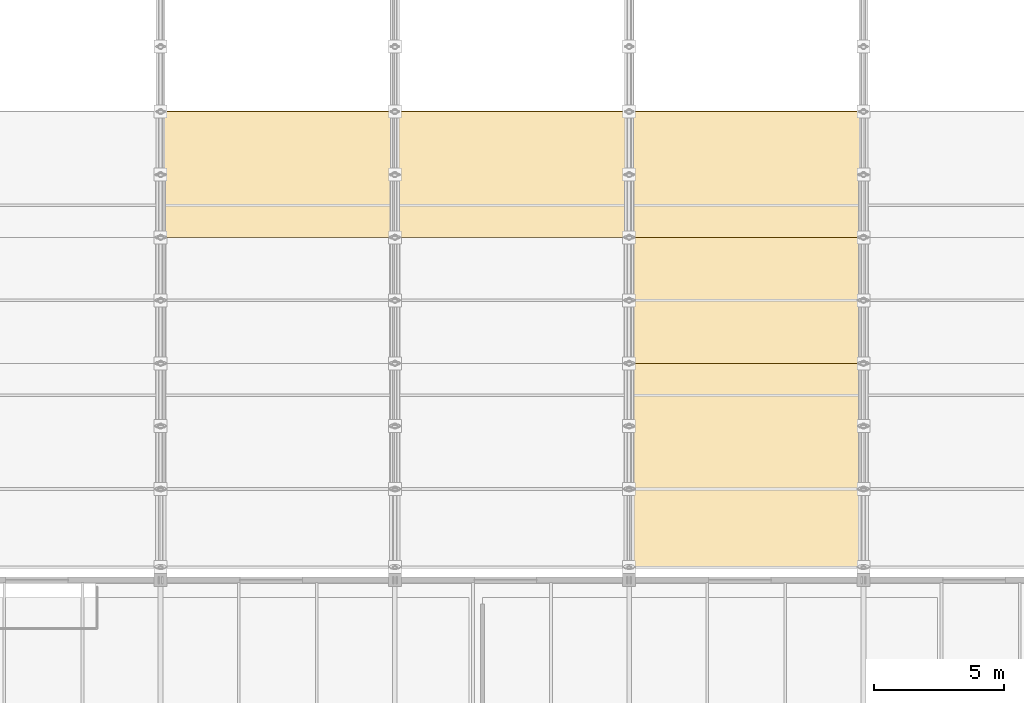
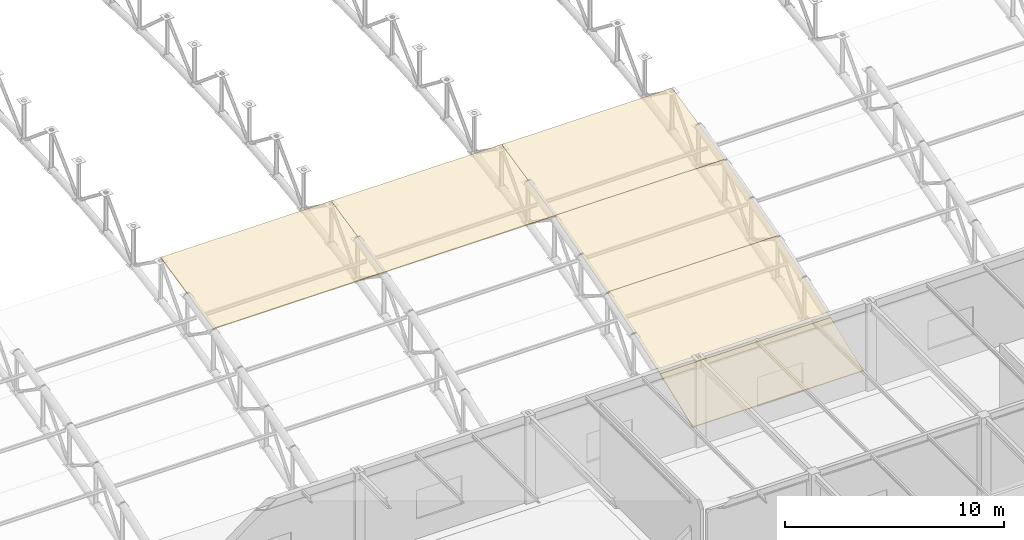
# One storey, part 189 of 195: 6 coverings.
"""IFC4 building model written with IfcOpenShell, lengths in metres."""

from ifc_helpers import new_model, si_unit, direction, frame, origin, place, context, subcontext, project, spatial, polyline, outline, extrude, material, layer, layer_set, type_object, element, save


model = new_model("IFC4")

# Units and contexts
model_context = context("Model", 3, precision=1e-05, world=origin(), true_north=direction((0.0, 1.0)))
body_context = subcontext(model_context, "Body", "Model", "MODEL_VIEW")
ifc_project = project(units=[si_unit("LENGTHUNIT", "METRE"), si_unit("AREAUNIT", "SQUARE_METRE"), si_unit("VOLUMEUNIT", "CUBIC_METRE"), si_unit("PLANEANGLEUNIT", "RADIAN"), si_unit("MASSUNIT", "GRAM", prefix="KILO")], contexts=[model_context])

# Site, building, storey
site_placement = place(None, origin())
site = spatial("IfcSite", under=ifc_project, at=site_placement, CompositionType="ELEMENT")
building_placement = place(site_placement, origin())
building = spatial("IfcBuilding", under=site, at=building_placement, Name="Marlcrest Central Station", CompositionType="ELEMENT")
storey_placement = place(building_placement, frame((0.0, 0.0, 9.800048828125)))
storey = spatial("IfcBuildingStorey", under=building, at=storey_placement, Name="L02", CompositionType="ELEMENT", Elevation=9.800048828125)

# Coverings
ifc_material = material(Name="Standing-seam marine-coated aluminium roofing", Category="aluminium")
ifc_layer = layer(ifc_material, 0.06494140625, Name="CV-RF2")
ifc_layer_set = layer_set([ifc_layer], Name="Standing-seam marine-coated aluminium roofing")
covering_type = type_object("IfcCoveringType", Name="CV-RF2", PredefinedType="ROOFING", material=ifc_layer_set)
for number, where, z_axis, x_axis, name in (
    (1, (162.0, 46.169921875, 4.760009765625), (0.0, -0.211209052667, 0.977440911806), (1.0, 0.0, 0.0), "cov-shed-0148"),
    (2, (171.0, 46.169921875, 4.760009765625), (0.0, -0.211209052667, 0.977440911806), (1.0, 0.0, 0.0), "cov-shed-0162"),
):
    element("IfcCovering", number, at=place(storey_placement, frame(where, z_axis=z_axis, x_axis=x_axis)), inside=storey, type_object=covering_type, Name=name, PredefinedType="ROOFING", context=body_context, shape_type="SweptSolid", body=[
        extrude(outline(polyline([(0.0, 0.0), (9.0, 0.0), (9.0, 4.941555102371799), (0.0, 4.941555102371799), (0.0, 0.0)])), origin(), (0.0, 0.0, -1.0), 0.06494140625),
    ])
covering_1_placement = place(storey_placement, frame((180.0, 33.5, 0.645751953125), z_axis=(0.0, -0.359101225901, 0.933298617569), x_axis=(1.0, 0.0, 0.0)))
element("IfcCovering", 3, at=covering_1_placement, inside=storey, type_object=covering_type, Name="cov-shed-0173", PredefinedType="ROOFING", context=body_context, shape_type="SweptSolid", body=[
    extrude(outline(polyline([(0.0, 0.0), (9.0, 0.0), (9.0, 3.2144052755735024), (0.0, 3.2144052755735024), (0.0, 0.0)])), origin(), (0.0, 0.0, -1.0), 0.06494140625),
])
covering_2_placement = place(storey_placement, frame((180.0, 36.5, 1.800048828125), z_axis=(0.0, -0.318569719273, 0.94789943241), x_axis=(1.0, 0.0, 0.0)))
element("IfcCovering", 4, at=covering_2_placement, inside=storey, type_object=covering_type, Name="cov-shed-0174", PredefinedType="ROOFING", context=body_context, shape_type="SweptSolid", body=[
    extrude(outline(polyline([(0.0, 0.0), (9.0, 0.0), (9.0, 5.095559676327259), (0.0, 5.095559676327259), (0.0, 0.0)])), origin(), (0.0, 0.0, -1.0), 0.06494140625),
])
covering_3_placement = place(storey_placement, frame((180.0, 41.330078125, 3.42333984375), z_axis=(0.0, -0.266214119485, 0.96391391866), x_axis=(1.0, 0.0, 0.0)))
element("IfcCovering", 5, at=covering_3_placement, inside=storey, type_object=covering_type, Name="cov-shed-0175", PredefinedType="ROOFING", context=body_context, shape_type="SweptSolid", body=[
    extrude(outline(polyline([(0.0, 0.0), (9.0, 0.0), (9.0, 5.021033161059522), (0.0, 5.021033161059522), (0.0, 0.0)])), origin(), (0.0, 0.0, -1.0), 0.06494140625),
])
covering_4_placement = place(storey_placement, frame((180.0, 46.169921875, 4.760009765625), z_axis=(0.0, -0.211209052667, 0.977440911806), x_axis=(1.0, 0.0, 0.0)))
element("IfcCovering", 6, at=covering_4_placement, inside=storey, type_object=covering_type, Name="cov-shed-0176", PredefinedType="ROOFING", context=body_context, shape_type="SweptSolid", body=[
    extrude(outline(polyline([(0.0, 0.0), (9.0, 0.0), (9.0, 4.941555102371799), (0.0, 4.941555102371799), (0.0, 0.0)])), origin(), (0.0, 0.0, -1.0), 0.06494140625),
])

save(model, "model.ifc")
